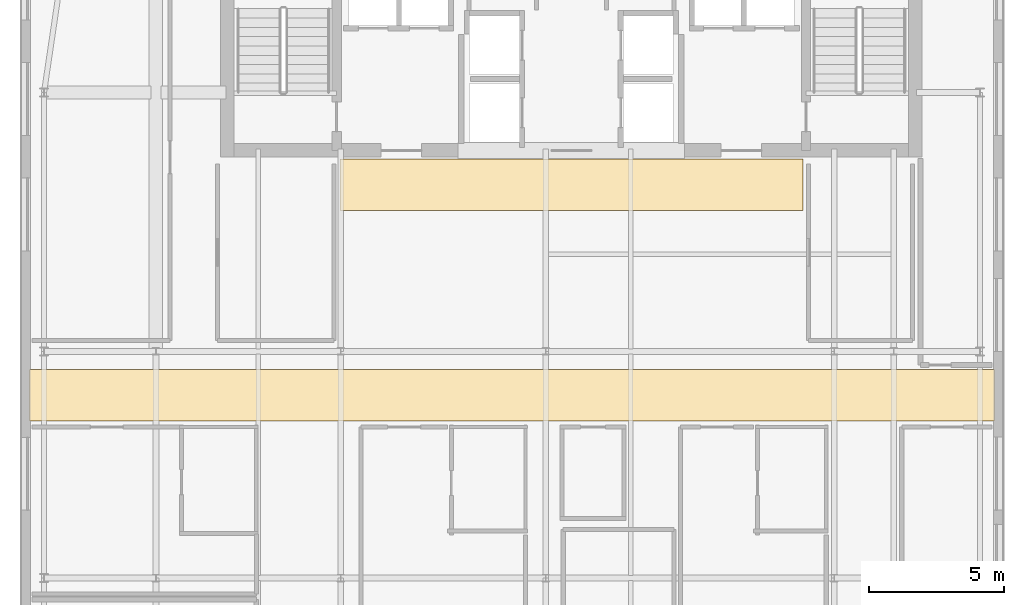
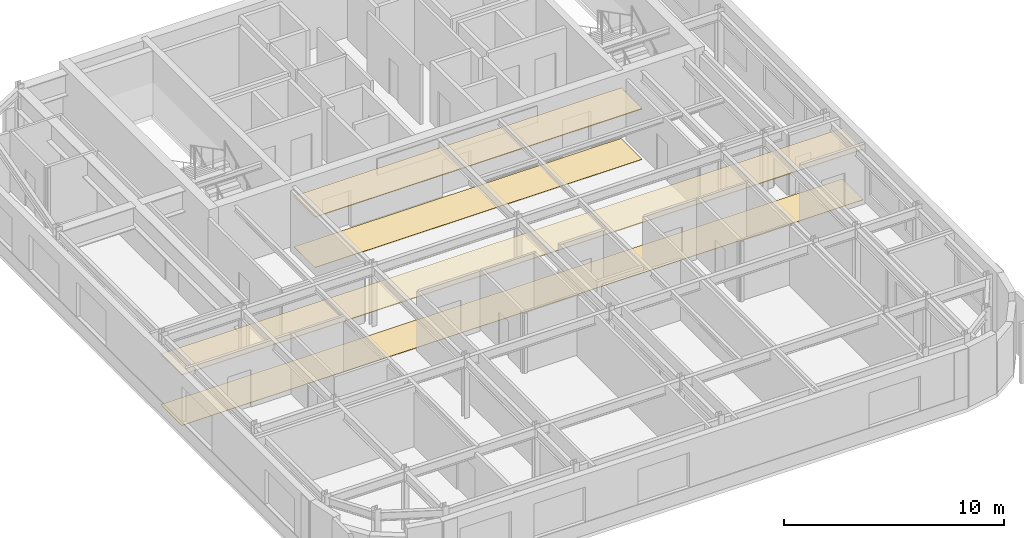
# One storey, part 13 of 15: 4 coverings.
"""IFC4 building model written with IfcOpenShell, lengths in metres."""

from ifc_helpers import new_model, si_unit, direction, frame, origin, place, context, subcontext, project, spatial, polyline, outline, extrude, material, layer, layer_set, type_object, element, save


model = new_model("IFC4")

# Units and contexts
model_context = context("Model", 3, precision=1e-05, world=origin(), true_north=direction((0.0, 1.0)))
body_context = subcontext(model_context, "Body", "Model", "MODEL_VIEW")
ifc_project = project(units=[si_unit("LENGTHUNIT", "METRE"), si_unit("AREAUNIT", "SQUARE_METRE"), si_unit("VOLUMEUNIT", "CUBIC_METRE"), si_unit("PLANEANGLEUNIT", "RADIAN"), si_unit("MASSUNIT", "GRAM", prefix="KILO")], contexts=[model_context])

# Site, building, storey
site_placement = place(None, origin())
site = spatial("IfcSite", under=ifc_project, at=site_placement, CompositionType="ELEMENT")
building_placement = place(site_placement, origin())
building = spatial("IfcBuilding", under=site, at=building_placement, Name="Tolvann Quenvar Hotel", CompositionType="ELEMENT")
storey_placement = place(building_placement, frame((0.0, 0.0, 278.60009765625)))
storey = spatial("IfcBuildingStorey", under=building, at=storey_placement, Name="L74", CompositionType="ELEMENT", Elevation=278.60009765625)

# Coverings
ifc_material_1 = material(Name="Micro-perforated acoustic mineral-fibre and timber-batten suspended ceiling", Category="wood")
ifc_layer_1 = layer(ifc_material_1, 0.0400390625)
ifc_layer_set_1 = layer_set([ifc_layer_1], Name="Micro-perforated acoustic mineral-fibre and timber-batten suspended ceiling")
covering_type_1 = type_object("IfcCoveringType", Name="COV_CEIL_ACOUSTIC_40", PredefinedType="CEILING", material=ifc_layer_set_1)
covering_1_placement = place(storey_placement, frame((0.0, 0.0, 2.789794921875)))
element("IfcCovering", 1, at=covering_1_placement, inside=storey, type_object=covering_type_1, Name="Suspended Acoustic Ceiling (Presidential Gallery Corridor L74)", PredefinedType="CEILING", context=body_context, shape_type="SweptSolid", body=[
    extrude(outline(polyline([(2.919921875, 21.820068359375), (38.679931640625, 21.820068359375), (38.679931640625, 23.72998046875), (2.919921875, 23.72998046875), (2.919921875, 21.820068359375)])), origin(), (0.0, 0.0, 1.0), 0.0400390625),
])
covering_2_placement = place(storey_placement, frame((0.0, 0.0, 2.789794921875)))
element("IfcCovering", 2, at=covering_2_placement, inside=storey, type_object=covering_type_1, Name="Suspended Acoustic Ceiling (Presidential Core Lift Hall L74)", PredefinedType="CEILING", context=body_context, shape_type="SweptSolid", body=[
    extrude(outline(polyline([(14.419921875, 29.6201171875), (31.580078125, 29.6201171875), (31.580078125, 31.530029296875), (14.419921875, 31.530029296875), (14.419921875, 29.6201171875)])), origin(), (0.0, 0.0, 1.0), 0.0400390625),
])
ifc_material_2 = material(Name="Honed Australian bluestone, terrazzo and engineered oak flooring", Category="masonry")
ifc_layer_2 = layer(ifc_material_2, 0.02001953125)
ifc_layer_set_2 = layer_set([ifc_layer_2], Name="Honed Australian bluestone, terrazzo and engineered oak flooring")
covering_type_2 = type_object("IfcCoveringType", Name="COV_FLOOR_STONE_20", PredefinedType="FLOORING", material=ifc_layer_set_2)
covering_3_placement = place(storey_placement, origin())
element("IfcCovering", 3, at=covering_3_placement, inside=storey, type_object=covering_type_2, Name="Architectural Floor Finish (Presidential Gallery Corridor L74)", PredefinedType="FLOORING", context=body_context, shape_type="SweptSolid", body=[
    extrude(outline(polyline([(2.919921875, 21.820068359375), (38.679931640625, 21.820068359375), (38.679931640625, 23.72998046875), (2.919921875, 23.72998046875), (2.919921875, 21.820068359375)])), origin(), (0.0, 0.0, 1.0), 0.02001953125),
])
covering_4_placement = place(storey_placement, origin())
element("IfcCovering", 4, at=covering_4_placement, inside=storey, type_object=covering_type_2, Name="Architectural Floor Finish (Presidential Core Lift Hall L74)", PredefinedType="FLOORING", context=body_context, shape_type="SweptSolid", body=[
    extrude(outline(polyline([(14.419921875, 29.6201171875), (31.580078125, 29.6201171875), (31.580078125, 31.530029296875), (14.419921875, 31.530029296875), (14.419921875, 29.6201171875)])), origin(), (0.0, 0.0, 1.0), 0.02001953125),
])

save(model, "model.ifc")
